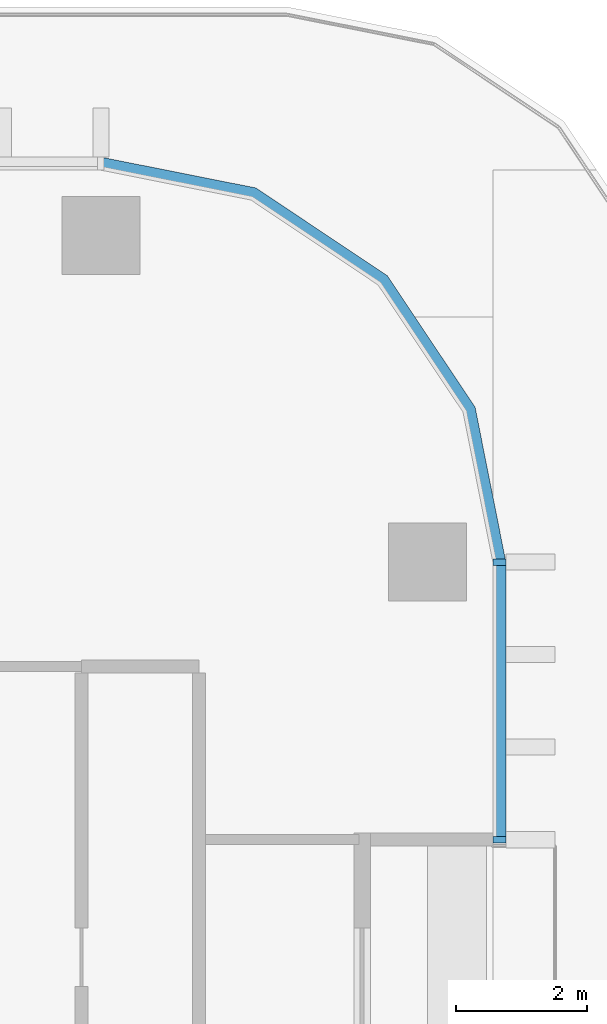
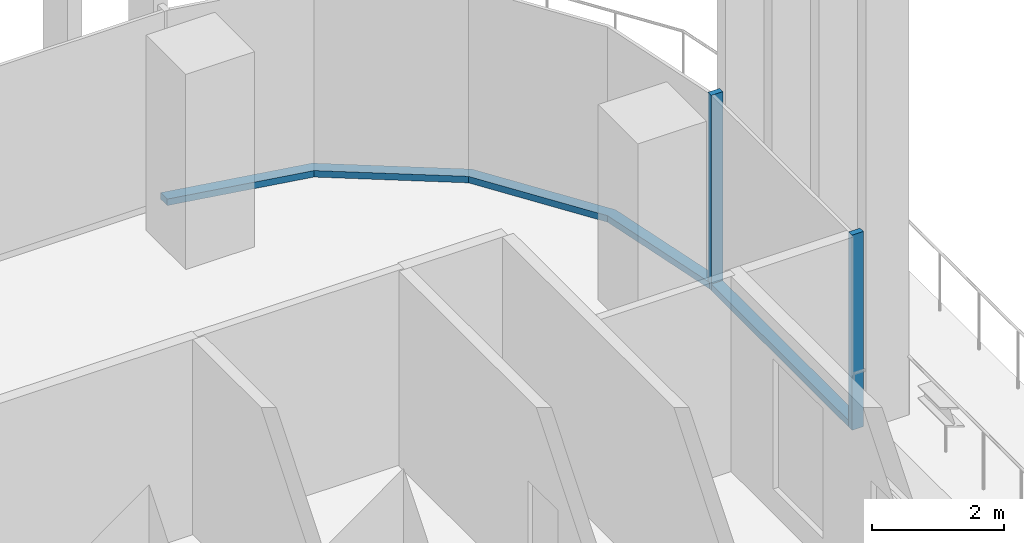
# One storey, part 5 of 16: 4 members, 2 elements without a shape of their own.
"""IFC4 building model written with IfcOpenShell, lengths in metres."""

from ifc_helpers import new_model, si_unit, direction, frame, origin, origin_2d, place, context, subcontext, project, spatial, polyline, rectangle, outline, extrude, material, material_profile, profile_set, type_object, element, aggregate, save


model = new_model("IFC4")

# Units and contexts
model_context = context("Model", 3, precision=1e-05, world=origin(), true_north=direction((0.0, 1.0)))
body_context = subcontext(model_context, "Body", "Model", "MODEL_VIEW")
ifc_project = project(units=[si_unit("LENGTHUNIT", "METRE"), si_unit("AREAUNIT", "SQUARE_METRE"), si_unit("VOLUMEUNIT", "CUBIC_METRE"), si_unit("PLANEANGLEUNIT", "RADIAN"), si_unit("MASSUNIT", "GRAM", prefix="KILO")], contexts=[model_context])

# Site, building, storey
site_placement = place(None, origin())
site = spatial("IfcSite", under=ifc_project, at=site_placement, CompositionType="ELEMENT")
building_placement = place(site_placement, origin())
building = spatial("IfcBuilding", under=site, at=building_placement, Name="Mopane Tessera Tower", CompositionType="ELEMENT")
storey_placement = place(building_placement, frame((0.0, 0.0, 157.0)))
storey = spatial("IfcBuildingStorey", under=building, at=storey_placement, Name="L31", CompositionType="ELEMENT", Elevation=157.0)

# Curtain wall, members
ifc_material_1 = material(Name="Aluminium frame", Category="aluminium")
curtain_wall_type = type_object("IfcCurtainWallType", Name="Unitised curtain wall", PredefinedType="NOTDEFINED", material=ifc_material_1)
curtain_wall_1_placement = place(storey_placement, origin())
curtain_wall_1 = element("IfcCurtainWall", 1, at=curtain_wall_1_placement, inside=storey, type_object=curtain_wall_type, Name="e:cw:L31:E:7", PredefinedType="NOTDEFINED")
ifc_material_2 = material(Name="Aluminium frame", Category="aluminium")
ifc_material_profile_1 = material_profile(ifc_material_2, rectangle(XDim=0.10009765625, YDim=0.199951171875, at=origin_2d()))
ifc_profile_set_1 = profile_set([ifc_material_profile_1], Name="Aluminium frame")
member_type_1 = type_object("IfcMemberType", Name="Aluminium mullion 100 x 200", PredefinedType="MULLION", material=ifc_profile_set_1)
member_1_placement = place(storey_placement, frame((26.300048828125, 12.75, 0.0), z_axis=(0.0, 0.0, 1.0), x_axis=(0.0, 1.0, 0.0)))
member_1 = element("IfcMember", 2, at=member_1_placement, type_object=member_type_1, Name="e:cw:L31:E:7:mu7", PredefinedType="MULLION", context=body_context, shape_type="SweptSolid", body=[
    extrude(rectangle(XDim=0.10009765625, YDim=0.199951171875, at=origin_2d()), origin(), (0.0, 0.0, 1.0), 3.60009765625),
])
member_2_placement = place(storey_placement, frame((26.300048828125, 17.0, 0.0), z_axis=(0.0, 0.0, 1.0), x_axis=(0.0, 1.0, 0.0)))
member_2 = element("IfcMember", 3, at=member_2_placement, type_object=member_type_1, Name="e:cw:L31:E:7:mu8", PredefinedType="MULLION", context=body_context, shape_type="SweptSolid", body=[
    extrude(rectangle(XDim=0.10009765625, YDim=0.199951171875, at=origin_2d()), origin(), (0.0, 0.0, 1.0), 3.60009765625),
])
ifc_material_3 = material(Name="Aluminium frame", Category="aluminium")
ifc_material_profile_2 = material_profile(ifc_material_3, rectangle(XDim=0.199951171875, YDim=0.1201171875, at=origin_2d()))
ifc_profile_set_2 = profile_set([ifc_material_profile_2], Name="Aluminium frame")
member_type_2 = type_object("IfcMemberType", Name="Aluminium transom 200 x 120", PredefinedType="USERDEFINED", material=ifc_profile_set_2)
member_3_placement = place(storey_placement, frame((26.300048828125, 12.800048828125, 0.06005859375), z_axis=(0.0, 1.0, 0.0), x_axis=(-1.0, 0.0, 0.0)))
member_3 = element("IfcMember", 4, at=member_3_placement, type_object=member_type_2, Name="e:cw:L31:E:7:tr7", ObjectType="TRANSOM", PredefinedType="USERDEFINED", context=body_context, shape_type="SweptSolid", body=[
    extrude(rectangle(XDim=0.199951171875, YDim=0.1201171875, at=origin_2d()), origin(), (0.0, 0.0, 1.0), 4.14990234375),
])
aggregate(curtain_wall_1, [member_1, member_2, member_3])

# Curtain wall, member
curtain_wall_2_placement = place(storey_placement, origin())
curtain_wall_2 = element("IfcCurtainWall", 5, at=curtain_wall_2_placement, inside=storey, type_object=curtain_wall_type, Name="e:cw:L31:CE", PredefinedType="NOTDEFINED")
member_4_placement = place(storey_placement, origin())
member_4 = element("IfcMember", 6, at=member_4_placement, type_object=member_type_2, Name="e:cw:L31:CE:tr", ObjectType="TRANSOM", PredefinedType="USERDEFINED", context=body_context, shape_type="SweptSolid", body=[
    extrude(outline(polyline([(26.199951171875, 17.0), (25.7431640625, 19.296142578125), (24.442626953125, 21.24267578125), (22.49609375, 22.543212890625), (20.199951171875, 23.0), (20.199951171875, 23.199951171875), (22.57275390625, 22.72802734375), (24.583984375, 21.384033203125), (25.927978515625, 19.37255859375), (26.39990234375, 17.0), (26.199951171875, 17.0)])), origin(), (0.0, 0.0, 1.0), 0.1201171875),
])
aggregate(curtain_wall_2, [member_4])

save(model, "model.ifc")
